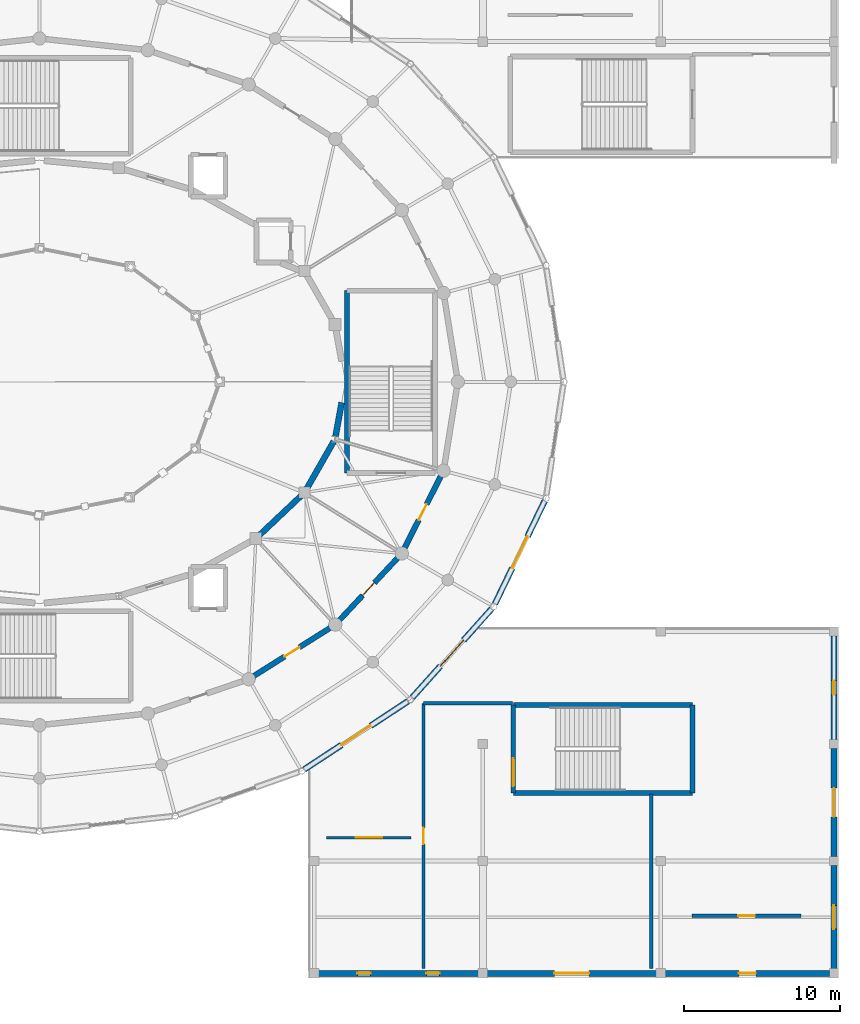
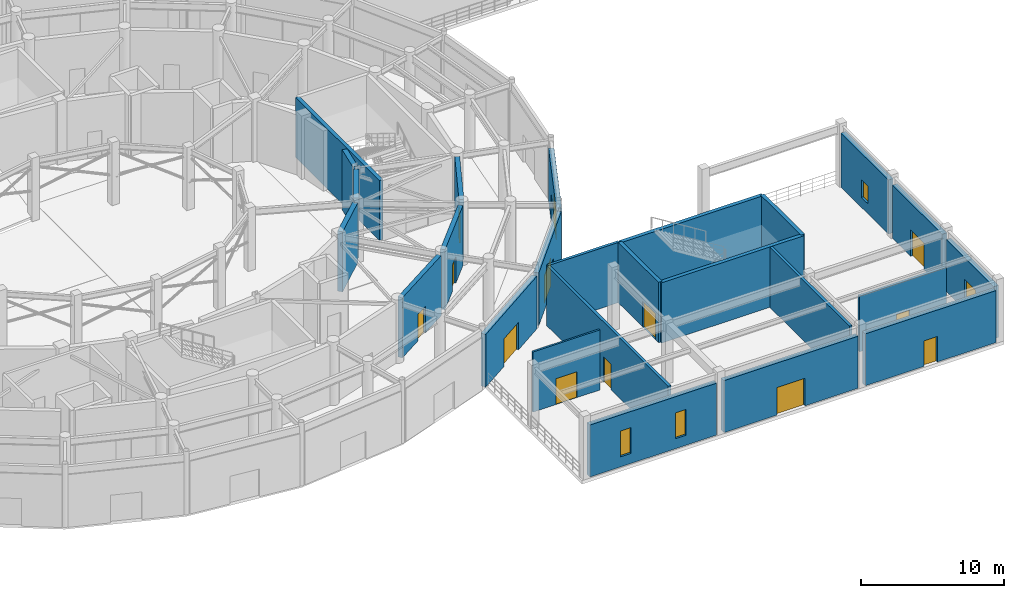
# One storey, part 60 of 93: 25 walls, 13 doors, 4 windows, 17 openings.
"""IFC4 building model written with IfcOpenShell, lengths in metres."""

from ifc_helpers import new_model, si_unit, direction, frame, frame_2d, origin, place, context, subcontext, project, spatial, rectangle, extrude, material, layer, layer_set, type_object, element, fill, save


model = new_model("IFC4")

# Units and contexts
model_context = context("Model", 3, precision=1e-05, world=origin(), true_north=direction((0.0, 1.0)))
body_context = subcontext(model_context, "Body", "Model", "MODEL_VIEW")
ifc_project = project(units=[si_unit("LENGTHUNIT", "METRE"), si_unit("AREAUNIT", "SQUARE_METRE"), si_unit("VOLUMEUNIT", "CUBIC_METRE"), si_unit("PLANEANGLEUNIT", "RADIAN"), si_unit("MASSUNIT", "GRAM", prefix="KILO")], contexts=[model_context])

# Site, building, storey
site_placement = place(None, origin())
site = spatial("IfcSite", under=ifc_project, at=site_placement, CompositionType="ELEMENT")
building_placement = place(site_placement, origin())
building = spatial("IfcBuilding", under=site, at=building_placement, Name="Cinderbank Siding Concert Hall", CompositionType="ELEMENT")
storey_placement = place(building_placement, origin())
storey = spatial("IfcBuildingStorey", under=building, at=storey_placement, Name="L01", CompositionType="ELEMENT", Elevation=0.0)

# Walls
ifc_material_1 = material(Name="Reinforced concrete AS 3600 N50 (50 MPa)", Category="concrete")
ifc_layer_1 = layer(ifc_material_1, 0.3798828125)
ifc_layer_set_1 = layer_set([ifc_layer_1], Name="Reinforced concrete AS 3600 N50 (50 MPa)")
wall_type_1 = type_object("IfcWallType", Name="WL-01 Structural Wall 380mm", PredefinedType="SOLIDWALL", material=ifc_layer_set_1)
wall_1_placement = place(storey_placement, frame((136.084716796875, 34.171875, 0.0), z_axis=(0.0, 0.0, 1.0), x_axis=(0.727101248405, 0.68653024301, 0.0)))
element("IfcWall", 1, at=wall_1_placement, inside=storey, type_object=wall_type_1, Name="L01 Structural Wall SW-E1-L01-22", PredefinedType="SOLIDWALL", context=body_context, shape_type="SweptSolid", body=[
    extrude(rectangle(XDim=3.688720703125, YDim=0.3798828125, at=frame_2d((1.84423828125, 0.0))), origin(), (0.0, 0.0, 1.0), 5.1201171875),
])
wall_2_placement = place(storey_placement, frame((139.115478515625, 37.1474609375, 0.0), z_axis=(0.0, 0.0, 1.0), x_axis=(0.496379307123, 0.8681057444, 0.0)))
element("IfcWall", 2, at=wall_2_placement, inside=storey, type_object=wall_type_1, Name="L01 Structural Wall SW-E1-L01-23", PredefinedType="SOLIDWALL", context=body_context, shape_type="SweptSolid", body=[
    extrude(rectangle(XDim=3.5, YDim=0.3798828125, at=frame_2d((1.75, 0.0))), origin(), (0.0, 0.0, 1.0), 5.1201171875),
])
wall_3_placement = place(storey_placement, frame((140.960693359375, 40.482177734375, 0.0), z_axis=(0.0, 0.0, 1.0), x_axis=(0.178808210054, 0.98388394845, 0.0)))
element("IfcWall", 3, at=wall_3_placement, inside=storey, type_object=wall_type_1, Name="L01 Structural Wall SW-E1-L01-24", PredefinedType="SOLIDWALL", context=body_context, shape_type="SweptSolid", body=[
    extrude(rectangle(XDim=2.2255859375, YDim=0.3798828125, at=frame_2d((1.11279296875, 0.0))), origin(), (0.0, 0.0, 1.0), 5.1201171875),
])

# Wall, opening, door
ifc_layer_2 = layer(ifc_material_1, 0.35009765625)
ifc_layer_set_2 = layer_set([ifc_layer_2], Name="Reinforced concrete AS 3600 N50 (50 MPa)")
wall_type_2 = type_object("IfcWallType", Name="WL-02 Structural Wall 350mm", PredefinedType="SHEAR", material=ifc_layer_set_2)
wall_4_placement = place(storey_placement, frame((135.70458984375, 25.139404296875, 0.0), z_axis=(0.0, 0.0, 1.0), x_axis=(0.846151846743, 0.5329418845, 0.0)))
wall_4 = element("IfcWall", 4, at=wall_4_placement, inside=storey, type_object=wall_type_2, Name="L01 Structural Wall SW-E2-L01-21", PredefinedType="SHEAR", context=body_context, shape_type="SweptSolid", body=[
    extrude(rectangle(XDim=5.83984375, YDim=0.35009765625, at=frame_2d((2.919921875, 0.0))), origin(), (0.0, 0.0, 1.0), 5.1201171875),
])
opening_1_placement = place(wall_4_placement, frame((2.35986328125, 0.0, 0.0)))
opening_1 = element("IfcOpeningElement", 5, at=opening_1_placement, cuts=wall_4, Name="Opening D-19", PredefinedType="OPENING", context=body_context, shape_type="SweptSolid", body=[
    extrude(rectangle(XDim=1.1201171875, YDim=2.260009765625, at=frame_2d((0.56005859375, 1.1298828125))), frame((0.0, 0.18701171875, 0.0), z_axis=(0.0, -1.0, 0.0), x_axis=(1.0, 0.0, 0.0)), (0.0, 0.0, 1.0), 0.3740234375),
])
ifc_material_2 = material(Name="Solid-core spotted gum acoustic timber", Category="wood")
door_type_1 = type_object("IfcDoorType", Name="D-19 Interior Door 1120x2260", OperationType="NOTDEFINED", PredefinedType="DOOR", material=ifc_material_2)
door_1_placement = place(opening_1_placement, origin())
door_1 = element("IfcDoor", 6, at=door_1_placement, inside=storey, type_object=door_type_1, Name="L01 Auditorium Sound-Lock Door L01-D128", OperationType="SINGLE_SWING_LEFT", OverallHeight=2.260009765625, OverallWidth=1.1201171875, PredefinedType="DOOR", context=body_context, shape_type="SweptSolid", body=[
    extrude(rectangle(XDim=1.1201171875, YDim=2.260009765625, at=frame_2d((0.56005859375, 1.1298828125))), frame((0.0, 0.02490234375, 0.0), z_axis=(0.0, -1.0, 0.0), x_axis=(1.0, 0.0, 0.0)), (0.0, 0.0, 1.0), 0.050048828125),
])
fill(opening_1, door_1)

wall_5_placement = place(storey_placement, frame((141.1962890625, 28.706787109375, 0.0), z_axis=(0.0, 0.0, 1.0), x_axis=(0.682874636689, 0.730535577893, 0.0)))
wall_5 = element("IfcWall", 7, at=wall_5_placement, inside=storey, type_object=wall_type_2, Name="L01 Structural Wall SW-E2-L01-22", PredefinedType="SHEAR", context=body_context, shape_type="SweptSolid", body=[
    extrude(rectangle(XDim=5.516845703125, YDim=0.35009765625, at=frame_2d((2.75830078125, 0.0))), origin(), (0.0, 0.0, 1.0), 5.1201171875),
])
opening_2_placement = place(wall_5_placement, frame((2.198486328125, 0.0, 0.0)))
opening_2 = element("IfcOpeningElement", 8, at=opening_2_placement, cuts=wall_5, Name="Opening D-19", PredefinedType="OPENING", context=body_context, shape_type="SweptSolid", body=[
    extrude(rectangle(XDim=1.1201171875, YDim=2.260009765625, at=frame_2d((0.56005859375, 1.1298828125))), frame((0.0, 0.18701171875, 0.0), z_axis=(0.0, -1.0, 0.0), x_axis=(1.0, 0.0, 0.0)), (0.0, 0.0, 1.0), 0.3740234375),
])
door_2_placement = place(opening_2_placement, origin())
door_2 = element("IfcDoor", 9, at=door_2_placement, inside=storey, type_object=door_type_1, Name="L01 Auditorium Sound-Lock Door L01-D129", OperationType="SINGLE_SWING_RIGHT", OverallHeight=2.260009765625, OverallWidth=1.1201171875, PredefinedType="DOOR", context=body_context, shape_type="SweptSolid", body=[
    extrude(rectangle(XDim=1.1201171875, YDim=2.260009765625, at=frame_2d((0.56005859375, 1.1298828125))), frame((0.0, 0.02490234375, 0.0), z_axis=(0.0, -1.0, 0.0), x_axis=(1.0, 0.0, 0.0)), (0.0, 0.0, 1.0), 0.050048828125),
])
fill(opening_2, door_2)

wall_6_placement = place(storey_placement, frame((145.37158203125, 33.3212890625, 0.0), z_axis=(0.0, 0.0, 1.0), x_axis=(0.450482420117, 0.892785298471, 0.0)))
wall_6 = element("IfcWall", 10, at=wall_6_placement, inside=storey, type_object=wall_type_2, Name="L01 Structural Wall SW-E2-L01-23", PredefinedType="SHEAR", context=body_context, shape_type="SweptSolid", body=[
    extrude(rectangle(XDim=5.223388671875, YDim=0.35009765625, at=frame_2d((2.61181640625, 0.0))), origin(), (0.0, 0.0, 1.0), 5.1201171875),
])
opening_3_placement = place(wall_6_placement, frame((2.051513671875, 0.0, 0.0)))
opening_3 = element("IfcOpeningElement", 11, at=opening_3_placement, cuts=wall_6, Name="Opening D-19", PredefinedType="OPENING", context=body_context, shape_type="SweptSolid", body=[
    extrude(rectangle(XDim=1.1201171875, YDim=2.260009765625, at=frame_2d((0.56005859375, 1.1298828125))), frame((0.0, 0.18701171875, 0.0), z_axis=(0.0, -1.0, 0.0), x_axis=(1.0, 0.0, 0.0)), (0.0, 0.0, 1.0), 0.3740234375),
])
door_3_placement = place(opening_3_placement, origin())
door_3 = element("IfcDoor", 12, at=door_3_placement, inside=storey, type_object=door_type_1, Name="L01 Auditorium Sound-Lock Door L01-D130", OperationType="SINGLE_SWING_LEFT", OverallHeight=2.260009765625, OverallWidth=1.1201171875, PredefinedType="DOOR", context=body_context, shape_type="SweptSolid", body=[
    extrude(rectangle(XDim=1.1201171875, YDim=2.260009765625, at=frame_2d((0.56005859375, 1.1298828125))), frame((0.0, 0.02490234375, 0.0), z_axis=(0.0, -1.0, 0.0), x_axis=(1.0, 0.0, 0.0)), (0.0, 0.0, 1.0), 0.050048828125),
])
fill(opening_3, door_3)

# Wall
ifc_layer_3 = layer(ifc_material_1, 0.300048828125)
ifc_layer_set_3 = layer_set([ifc_layer_3], Name="Reinforced concrete AS 3600 N50 (50 MPa)")
wall_type_3 = type_object("IfcWallType", Name="WL-03 Structural Wall 300mm", PredefinedType="SHEAR", material=ifc_layer_set_3)
wall_7_placement = place(storey_placement, frame((141.699951171875, 38.159912109375, 0.0), z_axis=(0.0, 0.0, 1.0), x_axis=(0.0, 1.0, 0.0)))
element("IfcWall", 13, at=wall_7_placement, inside=storey, type_object=wall_type_3, Name="L01 ST-03 Core Wall SIDE2", PredefinedType="SHEAR", context=body_context, shape_type="SweptSolid", body=[
    extrude(rectangle(XDim=11.68017578125, YDim=0.300048828125, at=frame_2d((5.840087890625, 0.0))), origin(), (0.0, 0.0, 1.0), 5.1201171875),
])

# Wall, opening, door
wall_8_placement = place(storey_placement, frame((152.360107421875, 17.659912109375, 0.0), z_axis=(0.0, 0.0, 1.0), x_axis=(0.0, 1.0, 0.0)))
wall_8 = element("IfcWall", 14, at=wall_8_placement, inside=storey, type_object=wall_type_3, Name="L01 ST-10 Core Wall ENTRY", PredefinedType="SHEAR", context=body_context, shape_type="SweptSolid", body=[
    extrude(rectangle(XDim=5.64013671875, YDim=0.300048828125, at=frame_2d((2.820068359375, 0.0))), origin(), (0.0, 0.0, 1.0), 5.139892578125),
])
opening_4_placement = place(wall_8_placement, frame((0.419921875, 0.0, 0.0)))
opening_4 = element("IfcOpeningElement", 15, at=opening_4_placement, cuts=wall_8, Name="Opening D-05", PredefinedType="OPENING", context=body_context, shape_type="SweptSolid", body=[
    extrude(rectangle(XDim=1.800048828125, YDim=2.199951171875, at=frame_2d((0.89990234375, 1.10009765625))), frame((0.0, 0.162109375, 0.0), z_axis=(0.0, -1.0, 0.0), x_axis=(1.0, 0.0, 0.0)), (0.0, 0.0, 1.0), 0.323974609375),
])
ifc_material_3 = material(Name="Galvanised sheet steel acoustic fire door assembly", Category="steel")
door_type_2 = type_object("IfcDoorType", Name="D-05 Interior Door 1800x2200", OperationType="DOUBLE_DOOR_SINGLE_SWING", PredefinedType="DOOR", material=ifc_material_3)
door_4_placement = place(opening_4_placement, origin())
door_4 = element("IfcDoor", 16, at=door_4_placement, inside=storey, type_object=door_type_2, Name="L01 ST-10 Fire Stair Door L01-D052", OperationType="DOUBLE_DOOR_SINGLE_SWING", OverallHeight=2.199951171875, OverallWidth=1.800048828125, PredefinedType="DOOR", context=body_context, shape_type="SweptSolid", body=[
    extrude(rectangle(XDim=1.800048828125, YDim=2.199951171875, at=frame_2d((0.89990234375, 1.10009765625))), frame((0.0, 0.02490234375, 0.0), z_axis=(0.0, -1.0, 0.0), x_axis=(1.0, 0.0, 0.0)), (0.0, 0.0, 1.0), 0.050048828125),
])
fill(opening_4, door_4)

# Walls
wall_9_placement = place(storey_placement, frame((163.840087890625, 23.300048828125, 0.0), z_axis=(0.0, 0.0, 1.0), x_axis=(0.0, -1.0, 0.0)))
element("IfcWall", 17, at=wall_9_placement, inside=storey, type_object=wall_type_3, Name="L01 ST-10 Core Wall FAR", PredefinedType="SHEAR", context=body_context, shape_type="SweptSolid", body=[
    extrude(rectangle(XDim=5.64013671875, YDim=0.300048828125, at=frame_2d((2.820068359375, 0.0))), origin(), (0.0, 0.0, 1.0), 5.139892578125),
])
for number, where, z_axis, x_axis, name in (
    (18, (163.840087890625, 17.659912109375, 0.0), (0.0, 0.0, 1.0), (-1.0, 0.0, 0.0), "L01 ST-10 Core Wall SIDE1"),
    (19, (152.360107421875, 23.300048828125, 0.0), (0.0, 0.0, 1.0), (1.0, 0.0, 0.0), "L01 ST-10 Core Wall SIDE2"),
):
    element("IfcWall", number, at=place(storey_placement, frame(where, z_axis=z_axis, x_axis=x_axis)), inside=storey, type_object=wall_type_3, Name=name, PredefinedType="SHEAR", context=body_context, shape_type="SweptSolid", body=[
        extrude(rectangle(XDim=11.47998046875, YDim=0.300048828125, at=frame_2d((5.739990234375, 0.0))), origin(), (0.0, 0.0, 1.0), 5.139892578125),
    ])

# Wall, opening, door
ifc_layer_4 = layer(ifc_material_1, 0.219970703125)
ifc_layer_set_4 = layer_set([ifc_layer_4], Name="Reinforced concrete AS 3600 N50 (50 MPa)")
wall_type_4 = type_object("IfcWallType", Name="WL-06 Interior Wall 220mm", PredefinedType="SOLIDWALL", material=ifc_layer_set_4)
wall_10_placement = place(storey_placement, frame((146.60009765625, 23.39990234375, 0.0), z_axis=(0.0, 0.0, 1.0), x_axis=(0.0, -1.0, 0.0)))
wall_10 = element("IfcWall", 20, at=wall_10_placement, inside=storey, type_object=wall_type_4, Name="L01 Fire-Isolated Exit Passage Wall EPW-10-W", PredefinedType="SOLIDWALL", context=body_context, shape_type="SweptSolid", body=[
    extrude(rectangle(XDim=17.0, YDim=0.219970703125, at=frame_2d((8.5, 0.0))), origin(), (0.0, 0.0, 1.0), 5.125),
])
opening_5_placement = place(wall_10_placement, frame((7.97509765625, 0.0, 0.0)))
opening_5 = element("IfcOpeningElement", 21, at=opening_5_placement, cuts=wall_10, Name="Opening D-02", PredefinedType="OPENING", context=body_context, shape_type="SweptSolid", body=[
    extrude(rectangle(XDim=1.050048828125, YDim=2.14990234375, at=frame_2d((0.52490234375, 1.074951171875))), frame((0.0, 0.1220703125, 0.0), z_axis=(0.0, -1.0, 0.0), x_axis=(1.0, 0.0, 0.0)), (0.0, 0.0, 1.0), 0.243896484375),
])
door_type_3 = type_object("IfcDoorType", Name="D-02 Interior Door 1050x2150", OperationType="NOTDEFINED", PredefinedType="DOOR", material=ifc_material_3)
door_5_placement = place(opening_5_placement, origin())
door_5 = element("IfcDoor", 22, at=door_5_placement, inside=storey, type_object=door_type_3, Name="L01 Exit Passage Fire Door L01-D098", OperationType="SINGLE_SWING_LEFT", OverallHeight=2.14990234375, OverallWidth=1.050048828125, PredefinedType="DOOR", context=body_context, shape_type="SweptSolid", body=[
    extrude(rectangle(XDim=1.050048828125, YDim=2.14990234375, at=frame_2d((0.52490234375, 1.074951171875))), frame((0.0, 0.02490234375, 0.0), z_axis=(0.0, -1.0, 0.0), x_axis=(1.0, 0.0, 0.0)), (0.0, 0.0, 1.0), 0.050048828125),
])
fill(opening_5, door_5)

# Walls
wall_11_placement = place(storey_placement, frame((152.300048828125, 23.39990234375, 0.0), z_axis=(0.0, 0.0, 1.0), x_axis=(-1.0, 0.0, 0.0)))
element("IfcWall", 23, at=wall_11_placement, inside=storey, type_object=wall_type_4, Name="L01 Fire-Isolated Exit Passage Wall EPW-10-N", PredefinedType="SOLIDWALL", context=body_context, shape_type="SweptSolid", body=[
    extrude(rectangle(XDim=5.699951171875, YDim=0.219970703125, at=frame_2d((2.85009765625, 0.0))), origin(), (0.0, 0.0, 1.0), 5.125),
])
wall_12_placement = place(storey_placement, frame((161.199951171875, 6.39990234375, 0.0), z_axis=(0.0, 0.0, 1.0), x_axis=(0.0, 1.0, 0.0)))
element("IfcWall", 24, at=wall_12_placement, inside=storey, type_object=wall_type_4, Name="L01 Fire-Isolated Exit Passage Wall EPW-10-E", PredefinedType="SOLIDWALL", context=body_context, shape_type="SweptSolid", body=[
    extrude(rectangle(XDim=11.2001953125, YDim=0.219970703125, at=frame_2d((5.60009765625, 0.0))), origin(), (0.0, 0.0, 1.0), 5.125),
])

# Wall, opening, door
wall_13_placement = place(storey_placement, frame((163.800048828125, 9.800048828125, 0.0), z_axis=(0.0, 0.0, 1.0), x_axis=(1.0, 0.0, 0.0)))
wall_13 = element("IfcWall", 25, at=wall_13_placement, inside=storey, type_object=wall_type_4, Name="L01 Partition Fire Control Room Internal", PredefinedType="SOLIDWALL", context=body_context, shape_type="SweptSolid", body=[
    extrude(rectangle(XDim=7.0, YDim=0.219970703125, at=frame_2d((3.5, 0.0))), origin(), (0.0, 0.0, 1.0), 4.724365234375),
])
opening_6_placement = place(wall_13_placement, frame((2.97509765625, 0.0, 0.0)))
opening_6 = element("IfcOpeningElement", 26, at=opening_6_placement, cuts=wall_13, Name="Opening D-02", PredefinedType="OPENING", context=body_context, shape_type="SweptSolid", body=[
    extrude(rectangle(XDim=1.050048828125, YDim=2.14990234375, at=frame_2d((0.52490234375, 1.074951171875))), frame((0.0, 0.1220703125, 0.0), z_axis=(0.0, -1.0, 0.0), x_axis=(1.0, 0.0, 0.0)), (0.0, 0.0, 1.0), 0.243896484375),
])
door_6_placement = place(opening_6_placement, origin())
door_6 = element("IfcDoor", 27, at=door_6_placement, inside=storey, type_object=door_type_3, Name="L01 Fire Control Room Internal Door L01-D250", OperationType="SINGLE_SWING_LEFT", OverallHeight=2.14990234375, OverallWidth=1.050048828125, PredefinedType="DOOR", context=body_context, shape_type="SweptSolid", body=[
    extrude(rectangle(XDim=1.050048828125, YDim=2.14990234375, at=frame_2d((0.52490234375, 1.074951171875))), frame((0.0, 0.02490234375, 0.0), z_axis=(0.0, -1.0, 0.0), x_axis=(1.0, 0.0, 0.0)), (0.0, 0.0, 1.0), 0.050048828125),
])
fill(opening_6, door_6)

ifc_material_4 = material(Name="Sydney Hawkesbury sandstone ashlar masonry", Category="masonry")
ifc_layer_5 = layer(ifc_material_4, 0.389892578125)
ifc_layer_set_5 = layer_set([ifc_layer_5], Name="Sydney Hawkesbury sandstone ashlar masonry")
wall_type_5 = type_object("IfcWallType", Name="WL-09 Exterior Wall 390mm", PredefinedType="STANDARD", material=ifc_layer_set_5)
wall_14_placement = place(storey_placement, frame((138.957275390625, 19.161865234375, 0.0), z_axis=(0.0, 0.0, 1.0), x_axis=(0.835481991605, 0.549517826556, 0.0)))
wall_14 = element("IfcWall", 28, at=wall_14_placement, inside=storey, type_object=wall_type_5, Name="L01 Facade Wall EW-E4-L01-21", PredefinedType="STANDARD", context=body_context, shape_type="SweptSolid", body=[
    extrude(rectangle(XDim=7.95263671875, YDim=0.389892578125, at=frame_2d((3.976318359375, 0.0))), origin(), (0.0, 0.0, 1.0), 4.487060546875),
])
opening_7_placement = place(wall_14_placement, frame((2.856201171875, 0.0, 0.0)))
opening_7 = element("IfcOpeningElement", 29, at=opening_7_placement, cuts=wall_14, Name="Opening ED-D1", PredefinedType="OPENING", context=body_context, shape_type="SweptSolid", body=[
    extrude(rectangle(XDim=2.239990234375, YDim=2.35009765625, at=frame_2d((1.1201171875, 1.175048828125))), frame((0.0, 0.20703125, 0.0), z_axis=(0.0, -1.0, 0.0), x_axis=(1.0, 0.0, 0.0)), (0.0, 0.0, 1.0), 0.413818359375),
])
door_type_4 = type_object("IfcDoorType", Name="ED-D1 Exterior Door 2240x2350", OperationType="DOUBLE_DOOR_SINGLE_SWING", PredefinedType="DOOR", material=ifc_material_3)
door_7_placement = place(opening_7_placement, origin())
door_7 = element("IfcDoor", 30, at=door_7_placement, inside=storey, type_object=door_type_4, Name="Grand Foyer Exit Door S21", OperationType="DOUBLE_DOOR_SINGLE_SWING", OverallHeight=2.35009765625, OverallWidth=2.239990234375, PredefinedType="DOOR", context=body_context, shape_type="SweptSolid", body=[
    extrude(rectangle(XDim=2.239990234375, YDim=2.35009765625, at=frame_2d((1.1201171875, 1.175048828125))), frame((0.0, 0.02490234375, 0.0), z_axis=(0.0, -1.0, 0.0), x_axis=(1.0, 0.0, 0.0)), (0.0, 0.0, 1.0), 0.050048828125),
])
fill(opening_7, door_7)

wall_15_placement = place(storey_placement, frame((145.88427734375, 23.775390625, 0.0), z_axis=(0.0, 0.0, 1.0), x_axis=(0.666987529742, 0.745068879479, 0.0)))
wall_15 = element("IfcWall", 31, at=wall_15_placement, inside=storey, type_object=wall_type_5, Name="L01 Facade Wall EW-E4-L01-22", PredefinedType="STANDARD", context=body_context, shape_type="SweptSolid", body=[
    extrude(rectangle(XDim=7.629150390625, YDim=0.389892578125, at=frame_2d((3.814453125, 0.0))), origin(), (0.0, 0.0, 1.0), 4.487060546875),
])
opening_8_placement = place(wall_15_placement, frame((2.694580078125, 0.0, 0.0)))
opening_8 = element("IfcOpeningElement", 32, at=opening_8_placement, cuts=wall_15, Name="Opening ED-D1", PredefinedType="OPENING", context=body_context, shape_type="SweptSolid", body=[
    extrude(rectangle(XDim=2.239990234375, YDim=2.35009765625, at=frame_2d((1.1201171875, 1.175048828125))), frame((0.0, 0.20703125, 0.0), z_axis=(0.0, -1.0, 0.0), x_axis=(1.0, 0.0, 0.0)), (0.0, 0.0, 1.0), 0.413818359375),
])
door_8_placement = place(opening_8_placement, origin())
door_8 = element("IfcDoor", 33, at=door_8_placement, inside=storey, type_object=door_type_4, Name="Grand Foyer Exit Door S22", OperationType="DOUBLE_DOOR_SINGLE_SWING", OverallHeight=2.35009765625, OverallWidth=2.239990234375, PredefinedType="DOOR", context=body_context, shape_type="SweptSolid", body=[
    extrude(rectangle(XDim=2.239990234375, YDim=2.35009765625, at=frame_2d((1.1201171875, 1.175048828125))), frame((0.0, 0.02490234375, 0.0), z_axis=(0.0, -1.0, 0.0), x_axis=(1.0, 0.0, 0.0)), (0.0, 0.0, 1.0), 0.050048828125),
])
fill(opening_8, door_8)

wall_16_placement = place(storey_placement, frame((154.373291015625, 36.37646484375, 0.0), z_axis=(0.0, 0.0, 1.0), x_axis=(-0.435115618282, -0.900374588006, 0.0)))
wall_16 = element("IfcWall", 34, at=wall_16_placement, inside=storey, type_object=wall_type_5, Name="L01 Facade Wall EW-E4-L01-23", PredefinedType="STANDARD", context=body_context, shape_type="SweptSolid", body=[
    extrude(rectangle(XDim=7.337890625, YDim=0.389892578125, at=frame_2d((3.6689453125, 0.0))), origin(), (0.0, 0.0, 1.0), 4.487060546875),
])
opening_9_placement = place(wall_16_placement, frame((2.549072265625, 0.0, 0.0)))
opening_9 = element("IfcOpeningElement", 35, at=opening_9_placement, cuts=wall_16, Name="Opening ED-D1", PredefinedType="OPENING", context=body_context, shape_type="SweptSolid", body=[
    extrude(rectangle(XDim=2.239990234375, YDim=2.35009765625, at=frame_2d((1.1201171875, 1.175048828125))), frame((0.0, 0.20703125, 0.0), z_axis=(0.0, -1.0, 0.0), x_axis=(1.0, 0.0, 0.0)), (0.0, 0.0, 1.0), 0.413818359375),
])
door_9_placement = place(opening_9_placement, origin())
door_9 = element("IfcDoor", 36, at=door_9_placement, inside=storey, type_object=door_type_4, Name="Grand Foyer Exit Door S23", OperationType="DOUBLE_DOOR_SINGLE_SWING", OverallHeight=2.35009765625, OverallWidth=2.239990234375, PredefinedType="DOOR", context=body_context, shape_type="SweptSolid", body=[
    extrude(rectangle(XDim=2.239990234375, YDim=2.35009765625, at=frame_2d((1.1201171875, 1.175048828125))), frame((0.0, 0.02490234375, 0.0), z_axis=(0.0, -1.0, 0.0), x_axis=(1.0, 0.0, 0.0)), (0.0, 0.0, 1.0), 0.050048828125),
])
fill(opening_9, door_9)

# Wall, opening, window
wall_17_placement = place(storey_placement, frame((172.89990234375, 13.014892578125, 0.0), z_axis=(0.0, 0.0, 1.0), x_axis=(0.0, -1.0, 0.0)))
wall_17 = element("IfcWall", 37, at=wall_17_placement, inside=storey, type_object=wall_type_5, Name="L01 Facade Wall EW-SE-E0-L01", PredefinedType="STANDARD", context=body_context, shape_type="SweptSolid", body=[
    extrude(rectangle(XDim=6.6298828125, YDim=0.389892578125, at=frame_2d((3.31494140625, 0.0))), origin(), (0.0, 0.0, 1.0), 4.427001953125),
])
opening_10_placement = place(wall_17_placement, frame((2.554931640625, 0.0, 0.85009765625)))
opening_10 = element("IfcOpeningElement", 38, at=opening_10_placement, cuts=wall_17, Name="Opening WN-22", PredefinedType="OPENING", context=body_context, shape_type="SweptSolid", body=[
    extrude(rectangle(XDim=1.52001953125, YDim=1.75, at=frame_2d((0.760009765625, 0.875))), frame((0.0, 0.20703125, 0.0), z_axis=(0.0, -1.0, 0.0), x_axis=(1.0, 0.0, 0.0)), (0.0, 0.0, 1.0), 0.413818359375),
])
ifc_material_5 = material(Name="Double-glazed laminated acoustic glass", Category="glass")
window_type_1 = type_object("IfcWindowType", Name="WN-22 Acoustic Casement Window 1520x1750", PartitioningType="DOUBLE_PANEL_VERTICAL", PredefinedType="WINDOW", material=ifc_material_5)
window_1_placement = place(opening_10_placement, origin())
window_1 = element("IfcWindow", 39, at=window_1_placement, inside=storey, type_object=window_type_1, Name="L01 Facade Window #190", OverallHeight=1.75, OverallWidth=1.52001953125, PartitioningType="DOUBLE_PANEL_VERTICAL", PredefinedType="WINDOW", context=body_context, shape_type="SweptSolid", body=[
    extrude(rectangle(XDim=1.52001953125, YDim=1.75, at=frame_2d((0.760009765625, 0.875))), frame((0.0, 0.030029296875, 0.0), z_axis=(0.0, -1.0, 0.0), x_axis=(1.0, 0.0, 0.0)), (0.0, 0.0, 1.0), 0.06005859375),
])
fill(opening_10, window_1)

# Wall, opening, door
wall_18_placement = place(storey_placement, frame((172.89990234375, 20.514892578125, 0.0), z_axis=(0.0, 0.0, 1.0), x_axis=(0.0, -1.0, 0.0)))
wall_18 = element("IfcWall", 40, at=wall_18_placement, inside=storey, type_object=wall_type_5, Name="L01 Facade Wall EW-SE-E1-L01", PredefinedType="STANDARD", context=body_context, shape_type="SweptSolid", body=[
    extrude(rectangle(XDim=6.929931640625, YDim=0.389892578125, at=frame_2d((3.46484375, 0.0))), origin(), (0.0, 0.0, 1.0), 4.52490234375),
])
opening_11_placement = place(wall_18_placement, frame((2.5400390625, 0.0, 0.0)))
opening_11 = element("IfcOpeningElement", 41, at=opening_11_placement, cuts=wall_18, Name="Opening ED-D3", PredefinedType="OPENING", context=body_context, shape_type="SweptSolid", body=[
    extrude(rectangle(XDim=1.85009765625, YDim=2.25, at=frame_2d((0.925048828125, 1.125))), frame((0.0, 0.20703125, 0.0), z_axis=(0.0, -1.0, 0.0), x_axis=(1.0, 0.0, 0.0)), (0.0, 0.0, 1.0), 0.413818359375),
])
door_type_5 = type_object("IfcDoorType", Name="ED-D3 Exterior Door 1850x2250", OperationType="DOUBLE_DOOR_SINGLE_SWING", PredefinedType="DOOR", material=ifc_material_3)
door_10_placement = place(opening_11_placement, origin())
door_10 = element("IfcDoor", 42, at=door_10_placement, inside=storey, type_object=door_type_5, Name="Perimeter Final Exit SE-E1", OperationType="DOUBLE_DOOR_SINGLE_SWING", OverallHeight=2.25, OverallWidth=1.85009765625, PredefinedType="DOOR", context=body_context, shape_type="SweptSolid", body=[
    extrude(rectangle(XDim=1.85009765625, YDim=2.25, at=frame_2d((0.925048828125, 1.125))), frame((0.0, 0.02490234375, 0.0), z_axis=(0.0, -1.0, 0.0), x_axis=(1.0, 0.0, 0.0)), (0.0, 0.0, 1.0), 0.050048828125),
])
fill(opening_11, door_10)

# Wall, opening, window
wall_19_placement = place(storey_placement, frame((172.89990234375, 27.715087890625, 0.0), z_axis=(0.0, 0.0, 1.0), x_axis=(0.0, -1.0, 0.0)))
wall_19 = element("IfcWall", 43, at=wall_19_placement, inside=storey, type_object=wall_type_5, Name="L01 Facade Wall EW-SE-E2-L01", PredefinedType="STANDARD", context=body_context, shape_type="SweptSolid", body=[
    extrude(rectangle(XDim=6.630126953125, YDim=0.389892578125, at=frame_2d((3.31494140625, 0.0))), origin(), (0.0, 0.0, 1.0), 4.598876953125),
])
opening_12_placement = place(wall_19_placement, frame((2.864990234375, 0.0, 0.85009765625)))
opening_12 = element("IfcOpeningElement", 44, at=opening_12_placement, cuts=wall_19, Name="Opening WN-25", PredefinedType="OPENING", context=body_context, shape_type="SweptSolid", body=[
    extrude(rectangle(XDim=0.89990234375, YDim=1.5, at=frame_2d((0.449951171875, 0.75))), frame((0.0, 0.20703125, 0.0), z_axis=(0.0, -1.0, 0.0), x_axis=(1.0, 0.0, 0.0)), (0.0, 0.0, 1.0), 0.413818359375),
])
window_type_2 = type_object("IfcWindowType", Name="WN-25 Acoustic Casement Window 900x1500", PartitioningType="DOUBLE_PANEL_VERTICAL", PredefinedType="WINDOW", material=ifc_material_5)
window_2_placement = place(opening_12_placement, origin())
window_2 = element("IfcWindow", 45, at=window_2_placement, inside=storey, type_object=window_type_2, Name="L01 Facade Window #193", OverallHeight=1.5, OverallWidth=0.89990234375, PartitioningType="DOUBLE_PANEL_VERTICAL", PredefinedType="WINDOW", context=body_context, shape_type="SweptSolid", body=[
    extrude(rectangle(XDim=0.89990234375, YDim=1.5, at=frame_2d((0.449951171875, 0.75))), frame((0.0, 0.030029296875, 0.0), z_axis=(0.0, -1.0, 0.0), x_axis=(1.0, 0.0, 0.0)), (0.0, 0.0, 1.0), 0.06005859375),
])
fill(opening_12, window_2)

# Wall, opening, door
wall_20_placement = place(storey_placement, frame((172.614990234375, 6.10009765625, 0.0), z_axis=(0.0, 0.0, 1.0), x_axis=(-1.0, 0.0, 0.0)))
wall_20 = element("IfcWall", 46, at=wall_20_placement, inside=storey, type_object=wall_type_5, Name="L01 Facade Wall EW-SE-FCR-L01", PredefinedType="STANDARD", context=body_context, shape_type="SweptSolid", body=[
    extrude(rectangle(XDim=10.530029296875, YDim=0.389892578125, at=frame_2d((5.26513671875, 0.0))), origin(), (0.0, 0.0, 1.0), 4.427001953125),
])
opening_13_placement = place(wall_20_placement, frame((4.72509765625, 0.0, 0.0)))
opening_13 = element("IfcOpeningElement", 47, at=opening_13_placement, cuts=wall_20, Name="Opening ED-S1", PredefinedType="OPENING", context=body_context, shape_type="SweptSolid", body=[
    extrude(rectangle(XDim=1.080078125, YDim=2.179931640625, at=frame_2d((0.5400390625, 1.08984375))), frame((0.0, 0.20703125, 0.0), z_axis=(0.0, -1.0, 0.0), x_axis=(1.0, 0.0, 0.0)), (0.0, 0.0, 1.0), 0.413818359375),
])
door_type_6 = type_object("IfcDoorType", Name="ED-S1 Exterior Door 1080x2180", OperationType="NOTDEFINED", PredefinedType="DOOR", material=ifc_material_3)
door_11_placement = place(opening_13_placement, origin())
door_11 = element("IfcDoor", 48, at=door_11_placement, inside=storey, type_object=door_type_6, Name="Fire Control Room Street Exit Door", OperationType="SINGLE_SWING_LEFT", OverallHeight=2.179931640625, OverallWidth=1.080078125, PredefinedType="DOOR", context=body_context, shape_type="SweptSolid", body=[
    extrude(rectangle(XDim=1.080078125, YDim=2.179931640625, at=frame_2d((0.5400390625, 1.08984375))), frame((0.0, 0.02490234375, 0.0), z_axis=(0.0, -1.0, 0.0), x_axis=(1.0, 0.0, 0.0)), (0.0, 0.0, 1.0), 0.050048828125),
])
fill(opening_13, door_11)

wall_21_placement = place(storey_placement, frame((161.514892578125, 6.10009765625, 0.0), z_axis=(0.0, 0.0, 1.0), x_axis=(-1.0, 0.0, 0.0)))
wall_21 = element("IfcWall", 49, at=wall_21_placement, inside=storey, type_object=wall_type_5, Name="L01 Facade Wall EW-SE-S1-L01", PredefinedType="STANDARD", context=body_context, shape_type="SweptSolid", body=[
    extrude(rectangle(XDim=10.829833984375, YDim=0.389892578125, at=frame_2d((5.4150390625, 0.0))), origin(), (0.0, 0.0, 1.0), 4.427001953125),
])
opening_14_placement = place(wall_21_placement, frame((4.294921875, 0.0, 0.0)))
opening_14 = element("IfcOpeningElement", 50, at=opening_14_placement, cuts=wall_21, Name="Opening ED-D1", PredefinedType="OPENING", context=body_context, shape_type="SweptSolid", body=[
    extrude(rectangle(XDim=2.239990234375, YDim=2.35009765625, at=frame_2d((1.1201171875, 1.175048828125))), frame((0.0, 0.20703125, 0.0), z_axis=(0.0, -1.0, 0.0), x_axis=(1.0, 0.0, 0.0)), (0.0, 0.0, 1.0), 0.413818359375),
])
door_12_placement = place(opening_14_placement, origin())
door_12 = element("IfcDoor", 51, at=door_12_placement, inside=storey, type_object=door_type_4, Name="Perimeter Final Exit SE-S1", OperationType="DOUBLE_DOOR_SINGLE_SWING", OverallHeight=2.35009765625, OverallWidth=2.239990234375, PredefinedType="DOOR", context=body_context, shape_type="SweptSolid", body=[
    extrude(rectangle(XDim=2.239990234375, YDim=2.35009765625, at=frame_2d((1.1201171875, 1.175048828125))), frame((0.0, 0.02490234375, 0.0), z_axis=(0.0, -1.0, 0.0), x_axis=(1.0, 0.0, 0.0)), (0.0, 0.0, 1.0), 0.050048828125),
])
fill(opening_14, door_12)

# Wall, openings, windows
wall_22_placement = place(storey_placement, frame((150.114990234375, 6.10009765625, 0.0), z_axis=(0.0, 0.0, 1.0), x_axis=(-1.0, 0.0, 0.0)))
wall_22 = element("IfcWall", 52, at=wall_22_placement, inside=storey, type_object=wall_type_5, Name="L01 Facade Wall EW-SE-S2-L01", PredefinedType="STANDARD", context=body_context, shape_type="SweptSolid", body=[
    extrude(rectangle(XDim=10.22998046875, YDim=0.389892578125, at=frame_2d((5.114990234375, 0.0))), origin(), (0.0, 0.0, 1.0), 4.427001953125),
])
opening_15_placement = place(wall_22_placement, frame((2.482421875, 0.0, 0.85009765625)))
opening_15 = element("IfcOpeningElement", 53, at=opening_15_placement, cuts=wall_22, Name="Opening WN-01", PredefinedType="OPENING", context=body_context, shape_type="SweptSolid", body=[
    extrude(rectangle(XDim=0.85009765625, YDim=2.199951171875, at=frame_2d((0.425048828125, 1.10009765625))), frame((0.0, 0.20703125, 0.0), z_axis=(0.0, -1.0, 0.0), x_axis=(1.0, 0.0, 0.0)), (0.0, 0.0, 1.0), 0.413818359375),
])
opening_16_placement = place(wall_22_placement, frame((6.8974609375, 0.0, 0.85009765625)))
opening_16 = element("IfcOpeningElement", 54, at=opening_16_placement, cuts=wall_22, Name="Opening WN-01", PredefinedType="OPENING", context=body_context, shape_type="SweptSolid", body=[
    extrude(rectangle(XDim=0.85009765625, YDim=2.199951171875, at=frame_2d((0.425048828125, 1.10009765625))), frame((0.0, 0.20703125, 0.0), z_axis=(0.0, -1.0, 0.0), x_axis=(1.0, 0.0, 0.0)), (0.0, 0.0, 1.0), 0.413818359375),
])
window_type_3 = type_object("IfcWindowType", Name="WN-01 Acoustic Casement Window 850x2200", PartitioningType="DOUBLE_PANEL_VERTICAL", PredefinedType="WINDOW", material=ifc_material_5)
window_3_placement = place(opening_15_placement, origin())
window_3 = element("IfcWindow", 55, at=window_3_placement, inside=storey, type_object=window_type_3, Name="L01 Facade Window #199", OverallHeight=2.199951171875, OverallWidth=0.85009765625, PartitioningType="DOUBLE_PANEL_VERTICAL", PredefinedType="WINDOW", context=body_context, shape_type="SweptSolid", body=[
    extrude(rectangle(XDim=0.85009765625, YDim=2.199951171875, at=frame_2d((0.425048828125, 1.10009765625))), frame((0.0, 0.030029296875, 0.0), z_axis=(0.0, -1.0, 0.0), x_axis=(1.0, 0.0, 0.0)), (0.0, 0.0, 1.0), 0.06005859375),
])
fill(opening_15, window_3)
window_4_placement = place(opening_16_placement, origin())
window_4 = element("IfcWindow", 56, at=window_4_placement, inside=storey, type_object=window_type_3, Name="L01 Facade Window #200", OverallHeight=2.199951171875, OverallWidth=0.85009765625, PartitioningType="DOUBLE_PANEL_VERTICAL", PredefinedType="WINDOW", context=body_context, shape_type="SweptSolid", body=[
    extrude(rectangle(XDim=0.85009765625, YDim=2.199951171875, at=frame_2d((0.425048828125, 1.10009765625))), frame((0.0, 0.030029296875, 0.0), z_axis=(0.0, -1.0, 0.0), x_axis=(1.0, 0.0, 0.0)), (0.0, 0.0, 1.0), 0.06005859375),
])
fill(opening_16, window_4)

# Wall, opening, door
ifc_material_6 = material(Name="Acoustic plasterboard on light-gauge steel studs", Category="gypsum")
ifc_layer_6 = layer(ifc_material_6, 0.14990234375)
ifc_layer_set_6 = layer_set([ifc_layer_6], Name="Acoustic plasterboard on light-gauge steel studs")
wall_type_6 = type_object("IfcWallType", Name="WL-15 Interior Wall 150mm", PredefinedType="PARTITIONING", material=ifc_layer_set_6)
wall_23_placement = place(storey_placement, frame((140.39990234375, 14.800048828125, 0.0), z_axis=(0.0, 0.0, 1.0), x_axis=(1.0, 0.0, 0.0)))
wall_23 = element("IfcWall", 57, at=wall_23_placement, inside=storey, type_object=wall_type_6, Name="L01 Partition Box Office Hall", PredefinedType="PARTITIONING", context=body_context, shape_type="SweptSolid", body=[
    extrude(rectangle(XDim=5.400146484375, YDim=0.14990234375, at=frame_2d((2.7001953125, 0.0))), origin(), (0.0, 0.0, 1.0), 5.125),
])
opening_17_placement = place(wall_23_placement, frame((1.85009765625, 0.0, 0.0)))
opening_17 = element("IfcOpeningElement", 58, at=opening_17_placement, cuts=wall_23, Name="Opening D-08", PredefinedType="OPENING", context=body_context, shape_type="SweptSolid", body=[
    extrude(rectangle(XDim=1.699951171875, YDim=2.199951171875, at=frame_2d((0.85009765625, 1.10009765625))), frame((0.0, 0.0869140625, 0.0), z_axis=(0.0, -1.0, 0.0), x_axis=(1.0, 0.0, 0.0)), (0.0, 0.0, 1.0), 0.173828125),
])
door_type_7 = type_object("IfcDoorType", Name="D-08 Interior Door 1700x2200", OperationType="DOUBLE_DOOR_SINGLE_SWING", PredefinedType="DOOR", material=ifc_material_2)
door_13_placement = place(opening_17_placement, origin())
door_13 = element("IfcDoor", 59, at=door_13_placement, inside=storey, type_object=door_type_7, Name="L01 Box Office Hall Door L01-D249", OperationType="DOUBLE_DOOR_SINGLE_SWING", OverallHeight=2.199951171875, OverallWidth=1.699951171875, PredefinedType="DOOR", context=body_context, shape_type="SweptSolid", body=[
    extrude(rectangle(XDim=1.699951171875, YDim=2.199951171875, at=frame_2d((0.85009765625, 1.10009765625))), frame((0.0, 0.02490234375, 0.0), z_axis=(0.0, -1.0, 0.0), x_axis=(1.0, 0.0, 0.0)), (0.0, 0.0, 1.0), 0.050048828125),
])
fill(opening_17, door_13)

save(model, "model.ifc")
